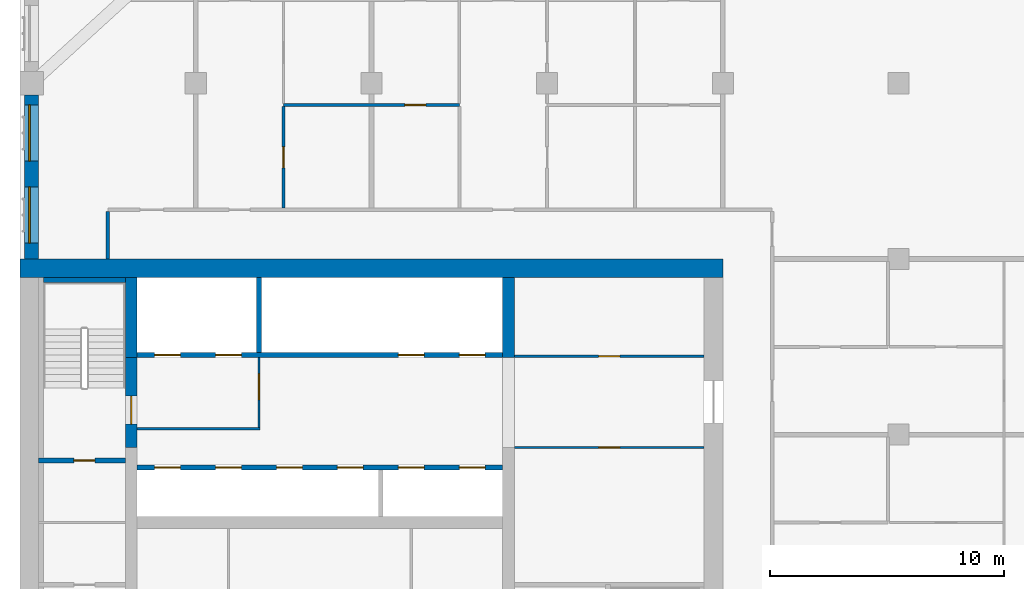
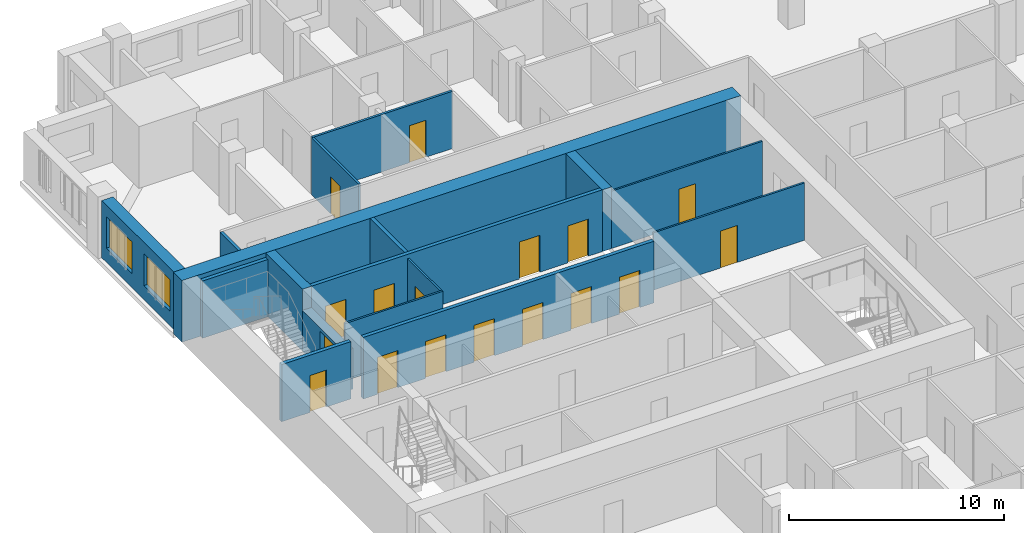
# One storey, part 9 of 14: 17 doors, 17 walls, 2 windows, 19 openings.
"""IFC4 building model written with IfcOpenShell, lengths in metres."""

from ifc_helpers import new_model, si_unit, direction, frame, frame_2d, origin, place, context, subcontext, project, spatial, rectangle, extrude, material, layer, layer_set, type_object, element, fill, save


model = new_model("IFC4")

# Units and contexts
model_context = context("Model", 3, precision=1e-05, world=origin(), true_north=direction((0.0, 1.0)))
body_context = subcontext(model_context, "Body", "Model", "MODEL_VIEW")
ifc_project = project(units=[si_unit("LENGTHUNIT", "METRE"), si_unit("AREAUNIT", "SQUARE_METRE"), si_unit("VOLUMEUNIT", "CUBIC_METRE"), si_unit("PLANEANGLEUNIT", "RADIAN"), si_unit("MASSUNIT", "GRAM", prefix="KILO")], contexts=[model_context])

# Site, building, storey
site_placement = place(None, origin())
site = spatial("IfcSite", under=ifc_project, at=site_placement, CompositionType="ELEMENT")
building_placement = place(site_placement, origin())
building = spatial("IfcBuilding", under=site, at=building_placement, Name="Tamorin Gate", CompositionType="ELEMENT")
storey_placement = place(building_placement, frame((0.0, 0.0, 189.699951171875)))
storey = spatial("IfcBuildingStorey", under=building, at=storey_placement, Name="L46", CompositionType="ELEMENT", Elevation=189.699951171875)

# Wall, openings, windows
ifc_material_1 = material(Name="Precast concrete C40/50", Category="concrete")
ifc_layer_1 = layer(ifc_material_1, 0.60009765625)
ifc_layer_set_1 = layer_set([ifc_layer_1], Name="Precast concrete C40/50")
wall_type_1 = type_object("IfcWallType", Name="Board-marked concrete facade panel 600", PredefinedType="SOLIDWALL", material=ifc_layer_set_1)
wall_1_placement = place(storey_placement, frame((30.5, 89.5, 0.0), z_axis=(0.0, 0.0, 1.0), x_axis=(0.0, -1.0, 0.0)))
wall_1 = element("IfcWall", 1, at=wall_1_placement, inside=storey, type_object=wall_type_1, Name="Facade panel", PredefinedType="SOLIDWALL", context=body_context, shape_type="SweptSolid", body=[
    extrude(rectangle(XDim=7.0, YDim=0.60009765625, at=frame_2d((3.5, 0.0))), origin(), (0.0, 0.0, 1.0), 3.25),
])
opening_1_placement = place(wall_1_placement, frame((3.925048828125, 0.0, 0.800048828125)))
opening_1 = element("IfcOpeningElement", 2, at=opening_1_placement, cuts=wall_1, Name="Opening WN1", PredefinedType="OPENING", context=body_context, shape_type="SweptSolid", body=[
    extrude(rectangle(XDim=2.39990234375, YDim=1.800048828125, at=frame_2d((1.199951171875, 0.89990234375))), frame((0.0, 0.31005859375, 0.0), z_axis=(0.0, -1.0, 0.0), x_axis=(1.0, 0.0, 0.0)), (0.0, 0.0, 1.0), 0.6201171875),
])
opening_2_placement = place(wall_1_placement, frame((0.425048828125, 0.0, 0.800048828125)))
opening_2 = element("IfcOpeningElement", 3, at=opening_2_placement, cuts=wall_1, Name="Opening WN1", PredefinedType="OPENING", context=body_context, shape_type="SweptSolid", body=[
    extrude(rectangle(XDim=2.39990234375, YDim=1.800048828125, at=frame_2d((1.199951171875, 0.89990234375))), frame((0.0, 0.31005859375, 0.0), z_axis=(0.0, -1.0, 0.0), x_axis=(1.0, 0.0, 0.0)), (0.0, 0.0, 1.0), 0.6201171875),
])
ifc_material_2 = material(Name="Clear glass in aluminium frame", Category="aluminium")
window_type = type_object("IfcWindowType", Name="Deep-set window 2400x1800", PartitioningType="SINGLE_PANEL", PredefinedType="WINDOW", material=ifc_material_2)
window_1_placement = place(opening_1_placement, origin())
window_1 = element("IfcWindow", 4, at=window_1_placement, inside=storey, type_object=window_type, Name="Deep-set window", OverallHeight=1.800048828125, OverallWidth=2.39990234375, PartitioningType="SINGLE_PANEL", PredefinedType="WINDOW", context=body_context, shape_type="SweptSolid", body=[
    extrude(rectangle(XDim=2.39990234375, YDim=1.800048828125, at=frame_2d((1.199951171875, 0.89990234375))), frame((0.0, -0.070068359375, 0.0), z_axis=(0.0, -1.0, 0.0), x_axis=(1.0, 0.0, 0.0)), (0.0, 0.0, 1.0), 0.06005859375),
])
fill(opening_1, window_1)
window_2_placement = place(opening_2_placement, origin())
window_2 = element("IfcWindow", 5, at=window_2_placement, inside=storey, type_object=window_type, Name="Deep-set window", OverallHeight=1.800048828125, OverallWidth=2.39990234375, PartitioningType="SINGLE_PANEL", PredefinedType="WINDOW", context=body_context, shape_type="SweptSolid", body=[
    extrude(rectangle(XDim=2.39990234375, YDim=1.800048828125, at=frame_2d((1.199951171875, 0.89990234375))), frame((0.0, -0.070068359375, 0.0), z_axis=(0.0, -1.0, 0.0), x_axis=(1.0, 0.0, 0.0)), (0.0, 0.0, 1.0), 0.06005859375),
])
fill(opening_2, window_2)

# Wall
ifc_material_3 = material(Name="Gypsum board partition")
ifc_layer_2 = layer(ifc_material_3, 0.14990234375)
ifc_layer_set_2 = layer_set([ifc_layer_2], Name="Corridor wall 150")
wall_type_2 = type_object("IfcWallType", Name="Corridor wall 150", PredefinedType="PARTITIONING", material=ifc_layer_set_2)
wall_2_placement = place(storey_placement, frame((33.75, 82.5, 0.0), z_axis=(0.0, 0.0, 1.0), x_axis=(0.0, 1.0, 0.0)))
element("IfcWall", 6, at=wall_2_placement, inside=storey, type_object=wall_type_2, Name="Corridor wall 150", PredefinedType="PARTITIONING", context=body_context, shape_type="SweptSolid", body=[
    extrude(rectangle(XDim=2.02490234375, YDim=0.14990234375, at=frame_2d((1.012451171875, 0.0))), origin(), (0.0, 0.0, 1.0), 3.25),
])

# Wall, openings, doors
ifc_material_4 = material(Name="Concrete C32/40", Category="concrete")
ifc_layer_3 = layer(ifc_material_4, 0.199951171875)
ifc_layer_set_3 = layer_set([ifc_layer_3], Name="Lift lobby face wall 200 EI 120")
wall_type_3 = type_object("IfcWallType", Name="Lift lobby face wall 200 EI 120", PredefinedType="SOLIDWALL", material=ifc_layer_set_3)
wall_3_placement = place(storey_placement, frame((35.0, 73.60009765625, 0.0), z_axis=(0.0, 0.0, 1.0), x_axis=(1.0, 0.0, 0.0)))
wall_3 = element("IfcWall", 7, at=wall_3_placement, inside=storey, type_object=wall_type_3, Name="Lift lobby face wall", PredefinedType="SOLIDWALL", context=body_context, shape_type="SweptSolid", body=[
    extrude(rectangle(XDim=15.60009765625, YDim=0.199951171875, at=frame_2d((7.800048828125, 0.0))), origin(), (0.0, 0.0, 1.0), 3.5),
])
opening_3_placement = place(wall_3_placement, frame((0.75, 0.0, 0.0)))
opening_3 = element("IfcOpeningElement", 8, at=opening_3_placement, cuts=wall_3, Name="Opening LD11", PredefinedType="OPENING", context=body_context, shape_type="SweptSolid", body=[
    extrude(rectangle(XDim=1.10009765625, YDim=2.10009765625, at=frame_2d((0.550048828125, 1.050048828125))), frame((0.0, 0.10986328125, 0.0), z_axis=(0.0, -1.0, 0.0), x_axis=(1.0, 0.0, 0.0)), (0.0, 0.0, 1.0), 0.219970703125),
])
opening_4_placement = place(wall_3_placement, frame((3.35009765625, 0.0, 0.0)))
opening_4 = element("IfcOpeningElement", 9, at=opening_4_placement, cuts=wall_3, Name="Opening LD12", PredefinedType="OPENING", context=body_context, shape_type="SweptSolid", body=[
    extrude(rectangle(XDim=1.10009765625, YDim=2.10009765625, at=frame_2d((0.550048828125, 1.050048828125))), frame((0.0, 0.10986328125, 0.0), z_axis=(0.0, -1.0, 0.0), x_axis=(1.0, 0.0, 0.0)), (0.0, 0.0, 1.0), 0.219970703125),
])
opening_5_placement = place(wall_3_placement, frame((5.949951171875, 0.0, 0.0)))
opening_5 = element("IfcOpeningElement", 10, at=opening_5_placement, cuts=wall_3, Name="Opening LD13", PredefinedType="OPENING", context=body_context, shape_type="SweptSolid", body=[
    extrude(rectangle(XDim=1.10009765625, YDim=2.10009765625, at=frame_2d((0.550048828125, 1.050048828125))), frame((0.0, 0.10986328125, 0.0), z_axis=(0.0, -1.0, 0.0), x_axis=(1.0, 0.0, 0.0)), (0.0, 0.0, 1.0), 0.219970703125),
])
opening_6_placement = place(wall_3_placement, frame((8.550048828125, 0.0, 0.0)))
opening_6 = element("IfcOpeningElement", 11, at=opening_6_placement, cuts=wall_3, Name="Opening LD14", PredefinedType="OPENING", context=body_context, shape_type="SweptSolid", body=[
    extrude(rectangle(XDim=1.10009765625, YDim=2.10009765625, at=frame_2d((0.550048828125, 1.050048828125))), frame((0.0, 0.10986328125, 0.0), z_axis=(0.0, -1.0, 0.0), x_axis=(1.0, 0.0, 0.0)), (0.0, 0.0, 1.0), 0.219970703125),
])
opening_7_placement = place(wall_3_placement, frame((11.14990234375, 0.0, 0.0)))
opening_7 = element("IfcOpeningElement", 12, at=opening_7_placement, cuts=wall_3, Name="Opening LD15", PredefinedType="OPENING", context=body_context, shape_type="SweptSolid", body=[
    extrude(rectangle(XDim=1.10009765625, YDim=2.10009765625, at=frame_2d((0.550048828125, 1.050048828125))), frame((0.0, 0.10986328125, 0.0), z_axis=(0.0, -1.0, 0.0), x_axis=(1.0, 0.0, 0.0)), (0.0, 0.0, 1.0), 0.219970703125),
])
opening_8_placement = place(wall_3_placement, frame((13.75, 0.0, 0.0)))
opening_8 = element("IfcOpeningElement", 13, at=opening_8_placement, cuts=wall_3, Name="Opening LD16", PredefinedType="OPENING", context=body_context, shape_type="SweptSolid", body=[
    extrude(rectangle(XDim=1.10009765625, YDim=2.10009765625, at=frame_2d((0.550048828125, 1.050048828125))), frame((0.0, 0.10986328125, 0.0), z_axis=(0.0, -1.0, 0.0), x_axis=(1.0, 0.0, 0.0)), (0.0, 0.0, 1.0), 0.219970703125),
])
ifc_material_5 = material(Name="Stainless steel sliding door", Category="steel")
door_type_1 = type_object("IfcDoorType", Name="Lift landing door 1100 x 2100 E 90", OperationType="DOUBLE_DOOR_SLIDING", PredefinedType="DOOR", material=ifc_material_5)
door_1_placement = place(opening_3_placement, origin())
door_1 = element("IfcDoor", 14, at=door_1_placement, inside=storey, type_object=door_type_1, Name="HR1 landing door", OperationType="DOUBLE_DOOR_SLIDING", OverallHeight=2.10009765625, OverallWidth=1.10009765625, PredefinedType="DOOR", context=body_context, shape_type="SweptSolid", body=[
    extrude(rectangle(XDim=1.10009765625, YDim=2.10009765625, at=frame_2d((0.550048828125, 1.050048828125))), frame((0.0, 0.02490234375, 0.0), z_axis=(0.0, -1.0, 0.0), x_axis=(1.0, 0.0, 0.0)), (0.0, 0.0, 1.0), 0.050048828125),
])
fill(opening_3, door_1)
door_2_placement = place(opening_4_placement, origin())
door_2 = element("IfcDoor", 15, at=door_2_placement, inside=storey, type_object=door_type_1, Name="HR2 landing door", OperationType="DOUBLE_DOOR_SLIDING", OverallHeight=2.10009765625, OverallWidth=1.10009765625, PredefinedType="DOOR", context=body_context, shape_type="SweptSolid", body=[
    extrude(rectangle(XDim=1.10009765625, YDim=2.10009765625, at=frame_2d((0.550048828125, 1.050048828125))), frame((0.0, 0.02490234375, 0.0), z_axis=(0.0, -1.0, 0.0), x_axis=(1.0, 0.0, 0.0)), (0.0, 0.0, 1.0), 0.050048828125),
])
fill(opening_4, door_2)
door_3_placement = place(opening_5_placement, origin())
door_3 = element("IfcDoor", 16, at=door_3_placement, inside=storey, type_object=door_type_1, Name="HR3 landing door", OperationType="DOUBLE_DOOR_SLIDING", OverallHeight=2.10009765625, OverallWidth=1.10009765625, PredefinedType="DOOR", context=body_context, shape_type="SweptSolid", body=[
    extrude(rectangle(XDim=1.10009765625, YDim=2.10009765625, at=frame_2d((0.550048828125, 1.050048828125))), frame((0.0, 0.02490234375, 0.0), z_axis=(0.0, -1.0, 0.0), x_axis=(1.0, 0.0, 0.0)), (0.0, 0.0, 1.0), 0.050048828125),
])
fill(opening_5, door_3)
door_4_placement = place(opening_6_placement, origin())
door_4 = element("IfcDoor", 17, at=door_4_placement, inside=storey, type_object=door_type_1, Name="HR4 landing door", OperationType="DOUBLE_DOOR_SLIDING", OverallHeight=2.10009765625, OverallWidth=1.10009765625, PredefinedType="DOOR", context=body_context, shape_type="SweptSolid", body=[
    extrude(rectangle(XDim=1.10009765625, YDim=2.10009765625, at=frame_2d((0.550048828125, 1.050048828125))), frame((0.0, 0.02490234375, 0.0), z_axis=(0.0, -1.0, 0.0), x_axis=(1.0, 0.0, 0.0)), (0.0, 0.0, 1.0), 0.050048828125),
])
fill(opening_6, door_4)
door_5_placement = place(opening_7_placement, origin())
door_5 = element("IfcDoor", 18, at=door_5_placement, inside=storey, type_object=door_type_1, Name="HR5 landing door", OperationType="DOUBLE_DOOR_SLIDING", OverallHeight=2.10009765625, OverallWidth=1.10009765625, PredefinedType="DOOR", context=body_context, shape_type="SweptSolid", body=[
    extrude(rectangle(XDim=1.10009765625, YDim=2.10009765625, at=frame_2d((0.550048828125, 1.050048828125))), frame((0.0, 0.02490234375, 0.0), z_axis=(0.0, -1.0, 0.0), x_axis=(1.0, 0.0, 0.0)), (0.0, 0.0, 1.0), 0.050048828125),
])
fill(opening_7, door_5)
door_6_placement = place(opening_8_placement, origin())
door_6 = element("IfcDoor", 19, at=door_6_placement, inside=storey, type_object=door_type_1, Name="HR6 landing door", OperationType="DOUBLE_DOOR_SLIDING", OverallHeight=2.10009765625, OverallWidth=1.10009765625, PredefinedType="DOOR", context=body_context, shape_type="SweptSolid", body=[
    extrude(rectangle(XDim=1.10009765625, YDim=2.10009765625, at=frame_2d((0.550048828125, 1.050048828125))), frame((0.0, 0.02490234375, 0.0), z_axis=(0.0, -1.0, 0.0), x_axis=(1.0, 0.0, 0.0)), (0.0, 0.0, 1.0), 0.050048828125),
])
fill(opening_8, door_6)

wall_4_placement = place(storey_placement, frame((35.0, 78.39990234375, 0.0), z_axis=(0.0, 0.0, 1.0), x_axis=(1.0, 0.0, 0.0)))
wall_4 = element("IfcWall", 20, at=wall_4_placement, inside=storey, type_object=wall_type_3, Name="Lift lobby face wall", PredefinedType="SOLIDWALL", context=body_context, shape_type="SweptSolid", body=[
    extrude(rectangle(XDim=15.60009765625, YDim=0.199951171875, at=frame_2d((7.800048828125, 0.0))), origin(), (0.0, 0.0, 1.0), 3.5),
])
opening_9_placement = place(wall_4_placement, frame((0.75, 0.0, 0.0)))
opening_9 = element("IfcOpeningElement", 21, at=opening_9_placement, cuts=wall_4, Name="Opening LD17", PredefinedType="OPENING", context=body_context, shape_type="SweptSolid", body=[
    extrude(rectangle(XDim=1.10009765625, YDim=2.10009765625, at=frame_2d((0.550048828125, 1.050048828125))), frame((0.0, 0.10986328125, 0.0), z_axis=(0.0, -1.0, 0.0), x_axis=(1.0, 0.0, 0.0)), (0.0, 0.0, 1.0), 0.219970703125),
])
opening_10_placement = place(wall_4_placement, frame((3.35009765625, 0.0, 0.0)))
opening_10 = element("IfcOpeningElement", 22, at=opening_10_placement, cuts=wall_4, Name="Opening LD18", PredefinedType="OPENING", context=body_context, shape_type="SweptSolid", body=[
    extrude(rectangle(XDim=1.10009765625, YDim=2.10009765625, at=frame_2d((0.550048828125, 1.050048828125))), frame((0.0, 0.10986328125, 0.0), z_axis=(0.0, -1.0, 0.0), x_axis=(1.0, 0.0, 0.0)), (0.0, 0.0, 1.0), 0.219970703125),
])
opening_11_placement = place(wall_4_placement, frame((11.14990234375, 0.0, 0.0)))
opening_11 = element("IfcOpeningElement", 23, at=opening_11_placement, cuts=wall_4, Name="Opening LD21", PredefinedType="OPENING", context=body_context, shape_type="SweptSolid", body=[
    extrude(rectangle(XDim=1.10009765625, YDim=2.10009765625, at=frame_2d((0.550048828125, 1.050048828125))), frame((0.0, 0.10986328125, 0.0), z_axis=(0.0, -1.0, 0.0), x_axis=(1.0, 0.0, 0.0)), (0.0, 0.0, 1.0), 0.219970703125),
])
opening_12_placement = place(wall_4_placement, frame((13.75, 0.0, 0.0)))
opening_12 = element("IfcOpeningElement", 24, at=opening_12_placement, cuts=wall_4, Name="Opening LD22", PredefinedType="OPENING", context=body_context, shape_type="SweptSolid", body=[
    extrude(rectangle(XDim=1.10009765625, YDim=2.10009765625, at=frame_2d((0.550048828125, 1.050048828125))), frame((0.0, 0.10986328125, 0.0), z_axis=(0.0, -1.0, 0.0), x_axis=(1.0, 0.0, 0.0)), (0.0, 0.0, 1.0), 0.219970703125),
])
door_7_placement = place(opening_9_placement, origin())
door_7 = element("IfcDoor", 25, at=door_7_placement, inside=storey, type_object=door_type_1, Name="FF1 landing door", OperationType="DOUBLE_DOOR_SLIDING", OverallHeight=2.10009765625, OverallWidth=1.10009765625, PredefinedType="DOOR", context=body_context, shape_type="SweptSolid", body=[
    extrude(rectangle(XDim=1.10009765625, YDim=2.10009765625, at=frame_2d((0.550048828125, 1.050048828125))), frame((0.0, 0.02490234375, 0.0), z_axis=(0.0, -1.0, 0.0), x_axis=(1.0, 0.0, 0.0)), (0.0, 0.0, 1.0), 0.050048828125),
])
fill(opening_9, door_7)
door_8_placement = place(opening_10_placement, origin())
door_8 = element("IfcDoor", 26, at=door_8_placement, inside=storey, type_object=door_type_1, Name="FF2 landing door", OperationType="DOUBLE_DOOR_SLIDING", OverallHeight=2.10009765625, OverallWidth=1.10009765625, PredefinedType="DOOR", context=body_context, shape_type="SweptSolid", body=[
    extrude(rectangle(XDim=1.10009765625, YDim=2.10009765625, at=frame_2d((0.550048828125, 1.050048828125))), frame((0.0, 0.02490234375, 0.0), z_axis=(0.0, -1.0, 0.0), x_axis=(1.0, 0.0, 0.0)), (0.0, 0.0, 1.0), 0.050048828125),
])
fill(opening_10, door_8)
door_9_placement = place(opening_11_placement, origin())
door_9 = element("IfcDoor", 27, at=door_9_placement, inside=storey, type_object=door_type_1, Name="SV1 landing door", OperationType="DOUBLE_DOOR_SLIDING", OverallHeight=2.10009765625, OverallWidth=1.10009765625, PredefinedType="DOOR", context=body_context, shape_type="SweptSolid", body=[
    extrude(rectangle(XDim=1.10009765625, YDim=2.10009765625, at=frame_2d((0.550048828125, 1.050048828125))), frame((0.0, 0.02490234375, 0.0), z_axis=(0.0, -1.0, 0.0), x_axis=(1.0, 0.0, 0.0)), (0.0, 0.0, 1.0), 0.050048828125),
])
fill(opening_11, door_9)
door_10_placement = place(opening_12_placement, origin())
door_10 = element("IfcDoor", 28, at=door_10_placement, inside=storey, type_object=door_type_1, Name="SV2 landing door", OperationType="DOUBLE_DOOR_SLIDING", OverallHeight=2.10009765625, OverallWidth=1.10009765625, PredefinedType="DOOR", context=body_context, shape_type="SweptSolid", body=[
    extrude(rectangle(XDim=1.10009765625, YDim=2.10009765625, at=frame_2d((0.550048828125, 1.050048828125))), frame((0.0, 0.02490234375, 0.0), z_axis=(0.0, -1.0, 0.0), x_axis=(1.0, 0.0, 0.0)), (0.0, 0.0, 1.0), 0.050048828125),
])
fill(opening_12, door_10)

# Walls
ifc_layer_4 = layer(ifc_material_4, 0.199951171875)
ifc_layer_set_4 = layer_set([ifc_layer_4], Name="Lift shaft wall 200 EI 120")
wall_type_4 = type_object("IfcWallType", Name="Lift shaft wall 200 EI 120", PredefinedType="SOLIDWALL", material=ifc_layer_set_4)
wall_5_placement = place(storey_placement, frame((40.199951171875, 78.5, 0.0), z_axis=(0.0, 0.0, 1.0), x_axis=(0.0, 1.0, 0.0)))
element("IfcWall", 29, at=wall_5_placement, inside=storey, type_object=wall_type_4, Name="Lift shaft wall", PredefinedType="SOLIDWALL", context=body_context, shape_type="SweptSolid", body=[
    extrude(rectangle(XDim=3.199951171875, YDim=0.199951171875, at=frame_2d((1.60009765625, 0.0))), origin(), (0.0, 0.0, 1.0), 3.5),
])
ifc_material_6 = material(Name="Fire-rated gypsum board partition")
ifc_layer_5 = layer(ifc_material_6, 0.10009765625)
ifc_layer_set_5 = layer_set([ifc_layer_5], Name="Lobby wall 100 EI 60")
wall_type_5 = type_object("IfcWallType", Name="Lobby wall 100 EI 60", PredefinedType="PARTITIONING", material=ifc_layer_set_5)
wall_6_placement = place(storey_placement, frame((35.0, 75.25, 0.0), z_axis=(0.0, 0.0, 1.0), x_axis=(1.0, 0.0, 0.0)))
element("IfcWall", 30, at=wall_6_placement, inside=storey, type_object=wall_type_5, Name="Firefighting lobby wall", PredefinedType="PARTITIONING", context=body_context, shape_type="SweptSolid", body=[
    extrude(rectangle(XDim=5.25, YDim=0.10009765625, at=frame_2d((2.625, 0.0))), origin(), (0.0, 0.0, 1.0), 3.25),
])

# Wall, opening, door
wall_7_placement = place(storey_placement, frame((40.199951171875, 75.300048828125, 0.0), z_axis=(0.0, 0.0, 1.0), x_axis=(0.0, 1.0, 0.0)))
wall_7 = element("IfcWall", 31, at=wall_7_placement, inside=storey, type_object=wall_type_5, Name="Firefighting lobby wall", PredefinedType="PARTITIONING", context=body_context, shape_type="SweptSolid", body=[
    extrude(rectangle(XDim=3.0, YDim=0.10009765625, at=frame_2d((1.5, 0.0))), origin(), (0.0, 0.0, 1.0), 3.25),
])
opening_13_placement = place(wall_7_placement, frame((1.199951171875, 0.0, 0.0)))
opening_13 = element("IfcOpeningElement", 32, at=opening_13_placement, cuts=wall_7, Name="Opening DF1", PredefinedType="OPENING", context=body_context, shape_type="SweptSolid", body=[
    extrude(rectangle(XDim=1.10009765625, YDim=2.10009765625, at=frame_2d((0.550048828125, 1.050048828125))), frame((0.0, 0.06005859375, 0.0), z_axis=(0.0, -1.0, 0.0), x_axis=(1.0, 0.0, 0.0)), (0.0, 0.0, 1.0), 0.1201171875),
])
ifc_material_7 = material(Name="Steel fire door", Category="steel")
door_type_2 = type_object("IfcDoorType", Name="Firefighting lobby door 1100 x 2100 EI 90", OperationType="SINGLE_SWING_LEFT", PredefinedType="DOOR", material=ifc_material_7)
door_11_placement = place(opening_13_placement, origin())
door_11 = element("IfcDoor", 33, at=door_11_placement, inside=storey, type_object=door_type_2, Name="Firefighting lobby door", OperationType="SINGLE_SWING_LEFT", OverallHeight=2.10009765625, OverallWidth=1.10009765625, PredefinedType="DOOR", context=body_context, shape_type="SweptSolid", body=[
    extrude(rectangle(XDim=1.10009765625, YDim=2.10009765625, at=frame_2d((0.550048828125, 1.050048828125))), frame((0.0, 0.02490234375, 0.0), z_axis=(0.0, -1.0, 0.0), x_axis=(1.0, 0.0, 0.0)), (0.0, 0.0, 1.0), 0.050048828125),
])
fill(opening_13, door_11)

# Walls
ifc_material_8 = material(Name="Concrete C60/75", Category="concrete")
ifc_layer_6 = layer(ifc_material_8, 0.5)
ifc_layer_set_6 = layer_set([ifc_layer_6], Name="RC core internal wall 500 C60/75")
wall_type_6 = type_object("IfcWallType", Name="RC core internal wall 500 C60/75", PredefinedType="SHEAR", material=ifc_layer_set_6)
for number, where, z_axis, x_axis, name in (
    (34, (34.75, 78.300048828125, 0.0), (0.0, 0.0, 1.0), (0.0, 1.0, 0.0), "Core cross wall L46"),
    (35, (50.85009765625, 78.300048828125, 0.0), (0.0, 0.0, 1.0), (0.0, 1.0, 0.0), "Core cross wall L46"),
):
    element("IfcWall", number, at=place(storey_placement, frame(where, z_axis=z_axis, x_axis=x_axis)), inside=storey, type_object=wall_type_6, Name=name, PredefinedType="SHEAR", context=body_context, shape_type="SweptSolid", body=[
        extrude(rectangle(XDim=3.39990234375, YDim=0.5, at=frame_2d((1.699951171875, 0.0))), origin(), (0.0, 0.0, 1.0), 3.5),
    ])
ifc_layer_7 = layer(ifc_material_8, 0.800048828125)
ifc_layer_set_7 = layer_set([ifc_layer_7], Name="RC core wall 800 C60/75")
wall_type_7 = type_object("IfcWallType", Name="RC core wall 800 C60/75", PredefinedType="SHEAR", material=ifc_layer_set_7)
wall_8_placement = place(storey_placement, frame((30.0, 82.10009765625, 0.0), z_axis=(0.0, 0.0, 1.0), x_axis=(1.0, 0.0, 0.0)))
element("IfcWall", 36, at=wall_8_placement, inside=storey, type_object=wall_type_7, Name="Core wall L46", PredefinedType="SHEAR", context=body_context, shape_type="SweptSolid", body=[
    extrude(rectangle(XDim=30.0, YDim=0.800048828125, at=frame_2d((15.0, 0.0))), origin(), (0.0, 0.0, 1.0), 3.5),
])

# Wall, opening, door
ifc_layer_8 = layer(ifc_material_3, 0.10009765625)
ifc_layer_set_8 = layer_set([ifc_layer_8], Name="Service room partition 100 EI 60")
wall_type_8 = type_object("IfcWallType", Name="Service room partition 100 EI 60", PredefinedType="PARTITIONING", material=ifc_layer_set_8)
wall_9_placement = place(storey_placement, frame((51.10009765625, 74.449951171875, 0.0), z_axis=(0.0, 0.0, 1.0), x_axis=(1.0, 0.0, 0.0)))
wall_9 = element("IfcWall", 37, at=wall_9_placement, inside=storey, type_object=wall_type_8, Name="Service room wall", PredefinedType="PARTITIONING", context=body_context, shape_type="SweptSolid", body=[
    extrude(rectangle(XDim=8.099853515625, YDim=0.10009765625, at=frame_2d((4.0498046875, 0.0))), origin(), (0.0, 0.0, 1.0), 3.25),
])
opening_14_placement = place(wall_9_placement, frame((3.60009765625, 0.0, 0.0)))
opening_14 = element("IfcOpeningElement", 38, at=opening_14_placement, cuts=wall_9, Name="Opening DR1", PredefinedType="OPENING", context=body_context, shape_type="SweptSolid", body=[
    extrude(rectangle(XDim=0.89990234375, YDim=2.10009765625, at=frame_2d((0.449951171875, 1.050048828125))), frame((0.0, 0.06005859375, 0.0), z_axis=(0.0, -1.0, 0.0), x_axis=(1.0, 0.0, 0.0)), (0.0, 0.0, 1.0), 0.1201171875),
])
door_type_3 = type_object("IfcDoorType", Name="Riser access door 900 x 2100 EI 120", OperationType="SINGLE_SWING_LEFT", PredefinedType="DOOR", material=ifc_material_7)
door_12_placement = place(opening_14_placement, origin())
door_12 = element("IfcDoor", 39, at=door_12_placement, inside=storey, type_object=door_type_3, Name="Duct riser door", OperationType="SINGLE_SWING_RIGHT", OverallHeight=2.10009765625, OverallWidth=0.89990234375, PredefinedType="DOOR", context=body_context, shape_type="SweptSolid", body=[
    extrude(rectangle(XDim=0.89990234375, YDim=2.10009765625, at=frame_2d((0.449951171875, 1.050048828125))), frame((0.0, 0.02490234375, 0.0), z_axis=(0.0, -1.0, 0.0), x_axis=(1.0, 0.0, 0.0)), (0.0, 0.0, 1.0), 0.050048828125),
])
fill(opening_14, door_12)

wall_10_placement = place(storey_placement, frame((51.10009765625, 78.35009765625, 0.0), z_axis=(0.0, 0.0, 1.0), x_axis=(1.0, 0.0, 0.0)))
wall_10 = element("IfcWall", 40, at=wall_10_placement, inside=storey, type_object=wall_type_8, Name="Service room wall", PredefinedType="PARTITIONING", context=body_context, shape_type="SweptSolid", body=[
    extrude(rectangle(XDim=8.099853515625, YDim=0.10009765625, at=frame_2d((4.0498046875, 0.0))), origin(), (0.0, 0.0, 1.0), 3.25),
])
opening_15_placement = place(wall_10_placement, frame((3.60009765625, 0.0, 0.0)))
opening_15 = element("IfcOpeningElement", 41, at=opening_15_placement, cuts=wall_10, Name="Opening DK1", PredefinedType="OPENING", context=body_context, shape_type="SweptSolid", body=[
    extrude(rectangle(XDim=0.89990234375, YDim=2.10009765625, at=frame_2d((0.449951171875, 1.050048828125))), frame((0.0, 0.06005859375, 0.0), z_axis=(0.0, -1.0, 0.0), x_axis=(1.0, 0.0, 0.0)), (0.0, 0.0, 1.0), 0.1201171875),
])
ifc_material_9 = material(Name="Timber fire door", Category="wood")
door_type_4 = type_object("IfcDoorType", Name="Service room door 900 x 2100 EI 60", OperationType="SINGLE_SWING_LEFT", PredefinedType="DOOR", material=ifc_material_9)
door_13_placement = place(opening_15_placement, origin())
door_13 = element("IfcDoor", 42, at=door_13_placement, inside=storey, type_object=door_type_4, Name="Door Linen store", OperationType="SINGLE_SWING_RIGHT", OverallHeight=2.10009765625, OverallWidth=0.89990234375, PredefinedType="DOOR", context=body_context, shape_type="SweptSolid", body=[
    extrude(rectangle(XDim=0.89990234375, YDim=2.10009765625, at=frame_2d((0.449951171875, 1.050048828125))), frame((0.0, 0.02490234375, 0.0), z_axis=(0.0, -1.0, 0.0), x_axis=(1.0, 0.0, 0.0)), (0.0, 0.0, 1.0), 0.050048828125),
])
fill(opening_15, door_13)

ifc_material_10 = material(Name="Concrete C40/50", Category="concrete")
ifc_layer_9 = layer(ifc_material_10, 0.199951171875)
ifc_layer_set_9 = layer_set([ifc_layer_9], Name="Stair enclosure wall 200 EI 120 C40/50")
wall_type_9 = type_object("IfcWallType", Name="Stair enclosure wall 200 EI 120 C40/50", PredefinedType="SOLIDWALL", material=ifc_layer_set_9)
wall_11_placement = place(storey_placement, frame((30.800048828125, 73.89990234375, 0.0), z_axis=(0.0, 0.0, 1.0), x_axis=(1.0, 0.0, 0.0)))
wall_11 = element("IfcWall", 43, at=wall_11_placement, inside=storey, type_object=wall_type_9, Name="Stair enclosure wall", PredefinedType="SOLIDWALL", context=body_context, shape_type="SweptSolid", body=[
    extrude(rectangle(XDim=3.699951171875, YDim=0.199951171875, at=frame_2d((1.85009765625, 0.0))), origin(), (0.0, 0.0, 1.0), 3.25),
])
opening_16_placement = place(wall_11_placement, frame((1.5, 0.0, 0.0)))
opening_16 = element("IfcOpeningElement", 44, at=opening_16_placement, cuts=wall_11, Name="Opening DR1", PredefinedType="OPENING", context=body_context, shape_type="SweptSolid", body=[
    extrude(rectangle(XDim=0.89990234375, YDim=2.10009765625, at=frame_2d((0.449951171875, 1.050048828125))), frame((0.0, 0.10986328125, 0.0), z_axis=(0.0, -1.0, 0.0), x_axis=(1.0, 0.0, 0.0)), (0.0, 0.0, 1.0), 0.219970703125),
])
door_14_placement = place(opening_16_placement, origin())
door_14 = element("IfcDoor", 45, at=door_14_placement, inside=storey, type_object=door_type_3, Name="Communications riser door", OperationType="SINGLE_SWING_RIGHT", OverallHeight=2.10009765625, OverallWidth=0.89990234375, PredefinedType="DOOR", context=body_context, shape_type="SweptSolid", body=[
    extrude(rectangle(XDim=0.89990234375, YDim=2.10009765625, at=frame_2d((0.449951171875, 1.050048828125))), frame((0.0, 0.02490234375, 0.0), z_axis=(0.0, -1.0, 0.0), x_axis=(1.0, 0.0, 0.0)), (0.0, 0.0, 1.0), 0.050048828125),
])
fill(opening_16, door_14)

# Wall
ifc_layer_10 = layer(ifc_material_8, 0.199951171875)
ifc_layer_set_10 = layer_set([ifc_layer_10], Name="Stair lining wall 200 EI 120 C60/75")
wall_type_10 = type_object("IfcWallType", Name="Stair lining wall 200 EI 120 C60/75", PredefinedType="SOLIDWALL", material=ifc_layer_set_10)
wall_12_placement = place(storey_placement, frame((31.0, 81.60009765625, 0.0), z_axis=(0.0, 0.0, 1.0), x_axis=(1.0, 0.0, 0.0)))
element("IfcWall", 46, at=wall_12_placement, inside=storey, type_object=wall_type_10, Name="Stair lining wall", PredefinedType="SOLIDWALL", context=body_context, shape_type="SweptSolid", body=[
    extrude(rectangle(XDim=3.5, YDim=0.199951171875, at=frame_2d((1.75, 0.0))), origin(), (0.0, 0.0, 1.0), 3.25),
])

# Wall, opening, door
ifc_layer_11 = layer(ifc_material_4, 0.5)
ifc_layer_set_11 = layer_set([ifc_layer_11], Name="Stair lobby infill wall 500 EI 120")
wall_type_11 = type_object("IfcWallType", Name="Stair lobby infill wall 500 EI 120", PredefinedType="SOLIDWALL", material=ifc_layer_set_11)
wall_13_placement = place(storey_placement, frame((34.75, 74.449951171875, 0.0), z_axis=(0.0, 0.0, 1.0), x_axis=(0.0, 1.0, 0.0)))
wall_13 = element("IfcWall", 47, at=wall_13_placement, inside=storey, type_object=wall_type_11, Name="Stair lobby infill wall", PredefinedType="SOLIDWALL", context=body_context, shape_type="SweptSolid", body=[
    extrude(rectangle(XDim=3.85009765625, YDim=0.5, at=frame_2d((1.925048828125, 0.0))), origin(), (0.0, 0.0, 1.0), 2.300048828125),
])
opening_17_placement = place(wall_13_placement, frame((1.0, 0.0, 0.0)))
opening_17 = element("IfcOpeningElement", 48, at=opening_17_placement, cuts=wall_13, Name="Opening DS1", PredefinedType="OPENING", context=body_context, shape_type="SweptSolid", body=[
    extrude(rectangle(XDim=1.199951171875, YDim=2.10009765625, at=frame_2d((0.60009765625, 1.050048828125))), frame((0.0, 0.260009765625, 0.0), z_axis=(0.0, -1.0, 0.0), x_axis=(1.0, 0.0, 0.0)), (0.0, 0.0, 1.0), 0.52001953125),
])
door_type_5 = type_object("IfcDoorType", Name="Stair door 1200 x 2100 EI 90", OperationType="SINGLE_SWING_LEFT", PredefinedType="DOOR", material=ifc_material_7)
door_15_placement = place(opening_17_placement, origin())
door_15 = element("IfcDoor", 49, at=door_15_placement, inside=storey, type_object=door_type_5, Name="ST2 door", OperationType="SINGLE_SWING_RIGHT", OverallHeight=2.10009765625, OverallWidth=1.199951171875, PredefinedType="DOOR", context=body_context, shape_type="SweptSolid", body=[
    extrude(rectangle(XDim=1.199951171875, YDim=2.10009765625, at=frame_2d((0.60009765625, 1.050048828125))), frame((0.0, 0.02490234375, 0.0), z_axis=(0.0, -1.0, 0.0), x_axis=(1.0, 0.0, 0.0)), (0.0, 0.0, 1.0), 0.050048828125),
])
fill(opening_17, door_15)

ifc_layer_12 = layer(ifc_material_3, 0.125)
ifc_layer_set_12 = layer_set([ifc_layer_12], Name="Wet wall 125")
wall_type_12 = type_object("IfcWallType", Name="Wet wall 125", PredefinedType="PARTITIONING", material=ifc_layer_set_12)
wall_14_placement = place(storey_placement, frame((41.25, 89.074951171875, 0.0), z_axis=(0.0, 0.0, 1.0), x_axis=(1.0, 0.0, 0.0)))
wall_14 = element("IfcWall", 50, at=wall_14_placement, inside=storey, type_object=wall_type_12, Name="Wet wall 125", PredefinedType="PARTITIONING", context=body_context, shape_type="SweptSolid", body=[
    extrude(rectangle(XDim=7.5, YDim=0.125, at=frame_2d((3.75, 0.0))), origin(), (0.0, 0.0, 1.0), 3.25),
])
opening_18_placement = place(wall_14_placement, frame((5.175048828125, 0.0, 0.0)))
opening_18 = element("IfcOpeningElement", 51, at=opening_18_placement, cuts=wall_14, Name="Opening DR4020", PredefinedType="OPENING", context=body_context, shape_type="SweptSolid", body=[
    extrude(rectangle(XDim=0.89990234375, YDim=2.10009765625, at=frame_2d((0.449951171875, 1.050048828125))), frame((0.0, 0.072509765625, 0.0), z_axis=(0.0, -1.0, 0.0), x_axis=(1.0, 0.0, 0.0)), (0.0, 0.0, 1.0), 0.14501953125),
])
ifc_material_11 = material(Name="Timber door leaf", Category="wood")
door_type_6 = type_object("IfcDoorType", Name="Door 900 x 2100", OperationType="NOTDEFINED", PredefinedType="DOOR", material=ifc_material_11)
door_16_placement = place(opening_18_placement, origin())
door_16 = element("IfcDoor", 52, at=door_16_placement, inside=storey, type_object=door_type_6, Name="Door DR4020", OperationType="SINGLE_SWING_RIGHT", OverallHeight=2.10009765625, OverallWidth=0.89990234375, PredefinedType="DOOR", context=body_context, shape_type="SweptSolid", body=[
    extrude(rectangle(XDim=0.89990234375, YDim=2.10009765625, at=frame_2d((0.449951171875, 1.050048828125))), frame((0.0, 0.02490234375, 0.0), z_axis=(0.0, -1.0, 0.0), x_axis=(1.0, 0.0, 0.0)), (0.0, 0.0, 1.0), 0.050048828125),
])
fill(opening_18, door_16)

wall_15_placement = place(storey_placement, frame((41.25, 84.675048828125, 0.0), z_axis=(0.0, 0.0, 1.0), x_axis=(0.0, 1.0, 0.0)))
wall_15 = element("IfcWall", 53, at=wall_15_placement, inside=storey, type_object=wall_type_12, Name="Wet wall 125", PredefinedType="PARTITIONING", context=body_context, shape_type="SweptSolid", body=[
    extrude(rectangle(XDim=4.33740234375, YDim=0.125, at=frame_2d((2.168701171875, 0.0))), origin(), (0.0, 0.0, 1.0), 3.25),
])
opening_19_placement = place(wall_15_placement, frame((1.71240234375, 0.0, 0.0)))
opening_19 = element("IfcOpeningElement", 54, at=opening_19_placement, cuts=wall_15, Name="Opening DR4018", PredefinedType="OPENING", context=body_context, shape_type="SweptSolid", body=[
    extrude(rectangle(XDim=0.89990234375, YDim=2.10009765625, at=frame_2d((0.449951171875, 1.050048828125))), frame((0.0, 0.072509765625, 0.0), z_axis=(0.0, -1.0, 0.0), x_axis=(1.0, 0.0, 0.0)), (0.0, 0.0, 1.0), 0.14501953125),
])
door_17_placement = place(opening_19_placement, origin())
door_17 = element("IfcDoor", 55, at=door_17_placement, inside=storey, type_object=door_type_6, Name="Door DR4018", OperationType="SINGLE_SWING_LEFT", OverallHeight=2.10009765625, OverallWidth=0.89990234375, PredefinedType="DOOR", context=body_context, shape_type="SweptSolid", body=[
    extrude(rectangle(XDim=0.89990234375, YDim=2.10009765625, at=frame_2d((0.449951171875, 1.050048828125))), frame((0.0, 0.02490234375, 0.0), z_axis=(0.0, -1.0, 0.0), x_axis=(1.0, 0.0, 0.0)), (0.0, 0.0, 1.0), 0.050048828125),
])
fill(opening_19, door_17)

save(model, "model.ifc")
